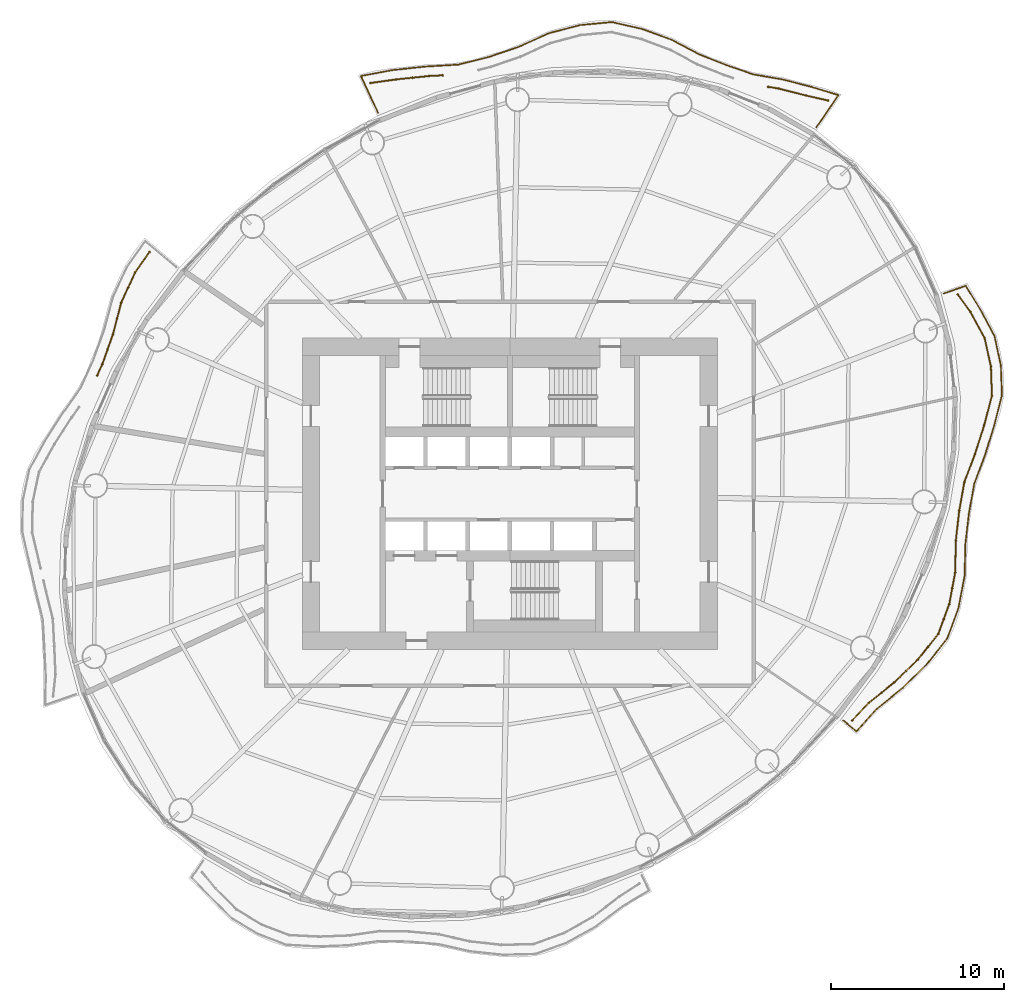
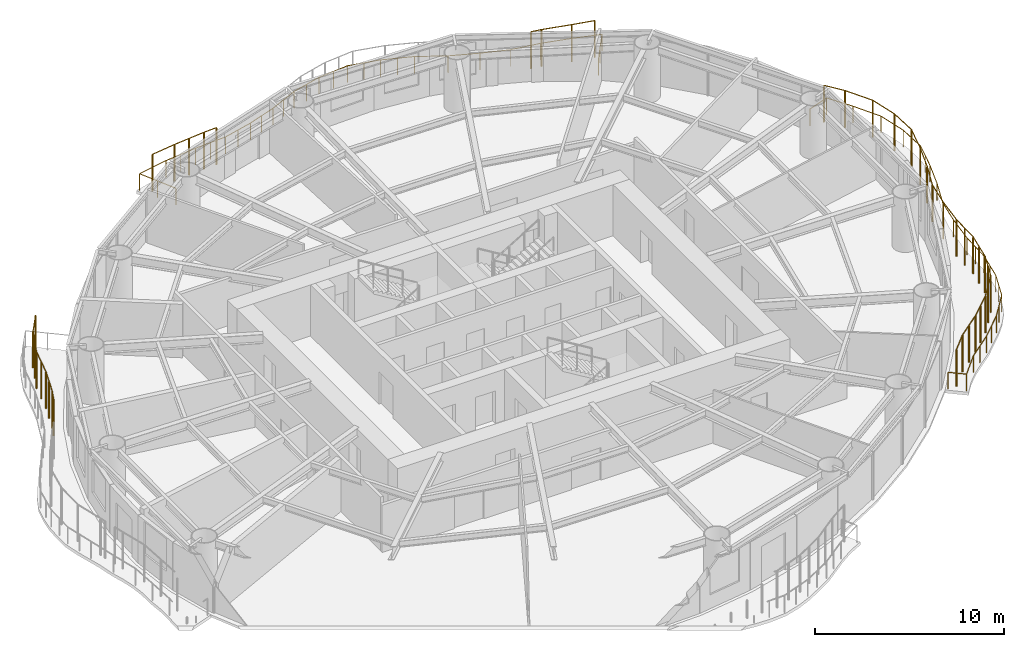
# One storey, part 14 of 15: 6 railings.
"""IFC4 building model written with IfcOpenShell, lengths in metres."""

import ifcopenshell
import ifcopenshell.guid

model = None  # the IFC model being written
_history = None  # IfcOwnerHistory: only IFC2X3 demands one
_inside = {}  # id of a spatial element -> (the spatial element, [elements in it])
_under = {}  # id of a project, library or spatial element -> (it, [spatial elements below it])
_declared = {}  # id of a project -> (the project, [libraries it declares])
_typed = {}  # id of a type object -> (the type object, [elements of that type])
_made_of = {}  # id of a material, layer set ... -> (it, [elements and type objects made of it])


def new_model(schema):
    """Start an empty IFC model of exactly this schema.

    Asked for "IFC4X3", IfcOpenShell would pick the latest addendum, in which some entities
    have other attributes; the version numbers below select the first issue.
    IFC2X3 requires an IfcOwnerHistory on every rooted entity: one is made here for all.
    """
    global model, _history
    if schema == "IFC4X3":
        model = ifcopenshell.file(schema_version=(4, 3, 0, 0))
    else:
        model = ifcopenshell.file(schema=schema)
    _inside.clear()
    _under.clear()
    _declared.clear()
    _typed.clear()
    _made_of.clear()
    _history = None
    if model.schema == "IFC2X3":
        org = make("IfcOrganization", Name="unknown")
        user = make(
            "IfcPersonAndOrganization",
            ThePerson=make("IfcPerson", FamilyName="unknown"),
            TheOrganization=org,
        )
        app = make(
            "IfcApplication",
            ApplicationDeveloper=org,
            Version="unknown",
            ApplicationFullName="unknown",
            ApplicationIdentifier="unknown",
        )
        _history = make(
            "IfcOwnerHistory",
            OwningUser=user,
            OwningApplication=app,
            ChangeAction="ADDED",
            CreationDate=0,
        )
    return model


def make(cls, **values):
    """One entity of the class cls with the attributes given. An attribute that is None is left unset."""
    return model.create_entity(
        cls, **{name: value for name, value in values.items() if value is not None}
    )


def rooted(cls, **values):
    """An entity with a GlobalId (a new one), such as an element, a storey or a relation."""
    return make(cls, GlobalId=ifcopenshell.guid.new(), OwnerHistory=_history, **values)


def si_unit(unit_type, name, prefix=None):
    """IfcSIUnit, for example si_unit("LENGTHUNIT", "METRE", prefix="MILLI")."""
    return make("IfcSIUnit", UnitType=unit_type, Prefix=prefix, Name=name)


def assignment(units):
    """IfcUnitAssignment: the units of a project."""
    return None if units is None else make("IfcUnitAssignment", Units=units)


def point(xyz):
    """IfcCartesianPoint."""
    return None if xyz is None else make("IfcCartesianPoint", Coordinates=xyz)


def direction(xyz):
    """IfcDirection."""
    return None if xyz is None else make("IfcDirection", DirectionRatios=xyz)


def frame(location, z_axis=None, x_axis=None):
    """IfcAxis2Placement3D, a coordinate frame: its origin and axes. An axis left out is left unset."""
    return make(
        "IfcAxis2Placement3D",
        Location=point(location),
        Axis=direction(z_axis),
        RefDirection=direction(x_axis),
    )


def frame_2d(location, x_axis=None):
    """IfcAxis2Placement2D, a coordinate frame in the plane: its origin and x axis."""
    return make(
        "IfcAxis2Placement2D", Location=point(location), RefDirection=direction(x_axis)
    )


def origin():
    """The frame at (0, 0, 0) with its axes left unset."""
    return frame((0.0, 0.0, 0.0))


def origin_2d():
    """The frame at (0, 0) in the plane with its x axis left unset."""
    return frame_2d((0.0, 0.0))


def place(relative_to, where):
    """IfcLocalPlacement: puts the frame where relative to a parent placement (None: the world)."""
    return make(
        "IfcLocalPlacement", PlacementRelTo=relative_to, RelativePlacement=where
    )


def context(
    kind, dimensions, precision=None, world=None, true_north=None, identifier=None
):
    """IfcGeometricRepresentationContext, for example the 3D "Model" context."""
    return make(
        "IfcGeometricRepresentationContext",
        ContextIdentifier=identifier,
        ContextType=kind,
        CoordinateSpaceDimension=dimensions,
        Precision=precision,
        WorldCoordinateSystem=world,
        TrueNorth=true_north,
    )


def subcontext(parent, identifier, kind, view, scale=None):
    """IfcGeometricRepresentationSubContext, for example "Body" below "Model"."""
    return make(
        "IfcGeometricRepresentationSubContext",
        ContextIdentifier=identifier,
        ContextType=kind,
        ParentContext=parent,
        TargetScale=scale,
        TargetView=view,
    )


def project(units=None, contexts=None):
    """IfcProject with its units and contexts."""
    return rooted(
        "IfcProject",
        Name="project",
        RepresentationContexts=contexts,
        UnitsInContext=assignment(units),
    )


def spatial(cls, under=None, at=None, **own):
    """A site, building, storey or space (cls), placed at a placement, below another one or the project."""
    s = rooted(cls, ObjectPlacement=at, **own)
    if under is not None:
        _under.setdefault(under.id(), (under, []))[1].append(s)
    return s


def profile(cls, at=None, kind="AREA", **sizes):
    """A parametric profile (cls). Its sizes go by their IFC names, for example OverallWidth=200.0."""
    return make(cls, ProfileType=kind, Position=at, **sizes)


def circle(**sizes):
    """IfcCircleProfileDef."""
    return profile("IfcCircleProfileDef", **sizes)


def extrude(swept, where, along, depth):
    """IfcExtrudedAreaSolid: the profile swept, set in the frame where, extruded along a direction by depth."""
    return make(
        "IfcExtrudedAreaSolid",
        SweptArea=swept,
        Position=where,
        ExtrudedDirection=direction(along),
        Depth=depth,
    )


def shape(context_of_items, identifier, shape_type, items):
    """IfcShapeRepresentation: the items that make up one representation, for example the "Body"."""
    return make(
        "IfcShapeRepresentation",
        ContextOfItems=context_of_items,
        RepresentationIdentifier=identifier,
        RepresentationType=shape_type,
        Items=items,
    )


def material(Name=None, Category=None):
    """IfcMaterial."""
    return make("IfcMaterial", Name=Name, Category=Category)


def made_of(thing, what):
    """Note that an element or type object is made of a material, layer set ...; save() writes the relation."""
    if what is not None:
        _made_of.setdefault(what.id(), (what, []))[1].append(thing)
    return thing


def type_object(cls, material=None, **own):
    """A type object (cls), such as IfcWallType, which elements share."""
    return made_of(rooted(cls, **own), material)


def element(
    cls,
    number,
    at=None,
    inside=None,
    cuts=None,
    type_object=None,
    material=None,
    context=None,
    identifier="Body",
    shape_type=None,
    held_by="IfcProductDefinitionShape",
    body=None,
    shapes=None,
    **own,
):
    """One element of the class cls, such as IfcWall. Its Tag is "e" and its number.

    at: its placement. inside: the storey or other place that contains it. cuts: it is an
    opening in that element (IfcRelVoidsElement). A single representation is given by context,
    identifier, shape_type and body (its items); several are given by shapes. held_by: the class
    of the entity that holds the representations. save() writes the other relations.
    """
    e = rooted(cls, Tag="e%d" % number, ObjectPlacement=at, **own)
    if body is not None:
        shapes = [shape(context, identifier, shape_type, body)]
    if shapes is not None:
        e.Representation = make(held_by, Representations=shapes)
    if inside is not None:
        _inside.setdefault(inside.id(), (inside, []))[1].append(e)
    if cuts is not None:
        rooted(
            "IfcRelVoidsElement", RelatingBuildingElement=cuts, RelatedOpeningElement=e
        )
    if type_object is not None:
        _typed.setdefault(type_object.id(), (type_object, []))[1].append(e)
    return made_of(e, material)


def aggregate(whole, parts):
    """IfcRelAggregates: a whole, such as a stair, and the parts it consists of."""
    return rooted("IfcRelAggregates", RelatingObject=whole, RelatedObjects=parts)


def save(model, path):
    """Write the relations noted so far, then the file.

    IfcRelAggregates (storeys below a building ...), IfcRelContainedInSpatialStructure (elements
    in a storey), IfcRelDefinesByType, IfcRelAssociatesMaterial and IfcRelDeclares: one each for
    every whole, place, type object, material and project.
    """
    for whole, parts in _under.values():
        aggregate(whole, parts)
    for where, things in _inside.values():
        rooted(
            "IfcRelContainedInSpatialStructure",
            RelatedElements=things,
            RelatingStructure=where,
        )
    for kind, things in _typed.values():
        rooted("IfcRelDefinesByType", RelatedObjects=things, RelatingType=kind)
    for what, things in _made_of.values():
        rooted("IfcRelAssociatesMaterial", RelatedObjects=things, RelatingMaterial=what)
    for by, libraries in _declared.values():
        rooted("IfcRelDeclares", RelatingContext=by, RelatedDefinitions=libraries)
    model.write(path)


model = new_model("IFC4")

# Units and contexts
model_context = context("Model", 3, precision=1e-05, world=origin(), true_north=direction((0.0, 1.0)))
body_context = subcontext(model_context, "Body", "Model", "MODEL_VIEW")
ifc_project = project(units=[si_unit("LENGTHUNIT", "METRE"), si_unit("AREAUNIT", "SQUARE_METRE"), si_unit("VOLUMEUNIT", "CUBIC_METRE"), si_unit("PLANEANGLEUNIT", "RADIAN"), si_unit("MASSUNIT", "GRAM", prefix="KILO")], contexts=[model_context])

# Site, building, storey
site_placement = place(None, origin())
site = spatial("IfcSite", under=ifc_project, at=site_placement, CompositionType="ELEMENT")
building_placement = place(site_placement, origin())
building = spatial("IfcBuilding", under=site, at=building_placement, Name="Vermilion Reach Broadcast Tower", CompositionType="ELEMENT")
storey_placement = place(building_placement, frame((0.0, 0.0, 183.0)))
storey = spatial("IfcBuildingStorey", under=building, at=storey_placement, Name="L44", CompositionType="ELEMENT", Elevation=183.0)

# Railings
ifc_material_1 = material(Name="Terracotta baguette", Category="masonry")
railing_type_1 = type_object("IfcRailingType", Name="BAGUETTE SCREEN", PredefinedType="USERDEFINED", material=ifc_material_1)
railing_1_placement = place(storey_placement, frame((12.39306640625, 22.750732421875, 0.0)))
element("IfcRailing", 1, at=railing_1_placement, inside=storey, type_object=railing_type_1, Name="Baguette screen L44 group 1 part 1", ObjectType="BAGUETTE SCREEN", PredefinedType="USERDEFINED", context=body_context, shape_type="SweptSolid", body=[
    extrude(circle(Radius=0.030029296875, at=origin_2d()), frame((0.0, 0.0, 2.369873046875), z_axis=(-0.97493325534, 0.222497522755, 0.0), x_axis=(-0.222497522755, -0.97493325534, 0.0)), (0.0, 0.0, 1.0), 1.276123046875),
    extrude(circle(Radius=0.030029296875, at=origin_2d()), frame((-1.244140625, 0.283935546875, 2.369873046875), z_axis=(-0.969501074945, 0.245087057349, 0.0), x_axis=(-0.245087057349, -0.969501074945, 0.0)), (0.0, 0.0, 1.0), 1.66552734375),
    extrude(circle(Radius=0.030029296875, at=origin_2d()), frame((-2.85888671875, 0.692138671875, 2.369873046875), z_axis=(-0.986525926221, 0.163605002653, 0.0), x_axis=(-0.163605002653, -0.986525926221, 0.0)), (0.0, 0.0, 1.0), 0.598388671875),
    extrude(circle(Radius=0.050048828125, at=origin_2d()), origin(), (0.0, 0.0, 1.0), 2.33984375),
    extrude(circle(Radius=0.050048828125, at=origin_2d()), frame((-1.244140625, 0.283935546875, 0.0)), (0.0, 0.0, 1.0), 2.33984375),
    extrude(circle(Radius=0.050048828125, at=origin_2d()), frame((-2.85888671875, 0.692138671875, 0.0)), (0.0, 0.0, 1.0), 2.33984375),
    extrude(circle(Radius=0.050048828125, at=origin_2d()), frame((-3.44921875, 0.7900390625, 0.0)), (0.0, 0.0, 1.0), 2.33984375),
])
railing_2_placement = place(storey_placement, frame((-9.89453125, 24.20751953125, 0.0)))
element("IfcRailing", 2, at=railing_2_placement, inside=storey, type_object=railing_type_1, Name="Baguette screen L44 group 1 part 3", ObjectType="BAGUETTE SCREEN", PredefinedType="USERDEFINED", context=body_context, shape_type="SweptSolid", body=[
    extrude(circle(Radius=0.030029296875, at=origin_2d()), frame((0.0, 0.0, 2.369873046875), z_axis=(-0.998484180172, -0.055039458079, 0.0), x_axis=(0.055039458079, -0.998484180172, 0.0)), (0.0, 0.0, 1.0), 0.78515625),
    extrude(circle(Radius=0.030029296875, at=origin_2d()), frame((-0.783935546875, -0.043212890625, 2.369873046875), z_axis=(-0.994777137262, -0.102070794943, 0.0), x_axis=(0.102070794943, -0.994777137262, 0.0)), (0.0, 0.0, 1.0), 1.920654296875),
    extrude(circle(Radius=0.030029296875, at=origin_2d()), frame((-2.694580078125, -0.2392578125, 2.369873046875), z_axis=(-0.990352564672, -0.138570551158, 0.0), x_axis=(0.138570551158, -0.990352564672, 0.0)), (0.0, 0.0, 1.0), 1.487060546875),
    extrude(circle(Radius=0.050048828125, at=origin_2d()), origin(), (0.0, 0.0, 1.0), 2.33984375),
    extrude(circle(Radius=0.050048828125, at=origin_2d()), frame((-0.783935546875, -0.043212890625, 0.0)), (0.0, 0.0, 1.0), 2.33984375),
    extrude(circle(Radius=0.050048828125, at=origin_2d()), frame((-1.7392578125, -0.14111328125, 0.0)), (0.0, 0.0, 1.0), 2.33984375),
    extrude(circle(Radius=0.050048828125, at=origin_2d()), frame((-2.694580078125, -0.2392578125, 0.0)), (0.0, 0.0, 1.0), 2.33984375),
    extrude(circle(Radius=0.050048828125, at=origin_2d()), frame((-4.167236328125, -0.4453125, 0.0)), (0.0, 0.0, 1.0), 2.33984375),
])
railing_3_placement = place(storey_placement, frame((-26.844482421875, 13.9873046875, 0.0)))
element("IfcRailing", 3, at=railing_3_placement, inside=storey, type_object=railing_type_1, Name="Baguette screen L44 group 2 part 1", ObjectType="BAGUETTE SCREEN", PredefinedType="USERDEFINED", context=body_context, shape_type="SweptSolid", body=[
    extrude(circle(Radius=0.030029296875, at=origin_2d()), frame((0.0, 0.0, 2.369873046875), z_axis=(-0.574085996, -0.818795010486, 0.0), x_axis=(0.818795010486, -0.574085996, 0.0)), (0.0, 0.0, 1.0), 1.444580078125),
    extrude(circle(Radius=0.030029296875, at=origin_2d()), frame((-0.829345703125, -1.182861328125, 2.369873046875), z_axis=(-0.418629558212, -0.908157086076, 0.0), x_axis=(0.908157086076, -0.418629558212, 0.0)), (0.0, 0.0, 1.0), 1.91455078125),
    extrude(circle(Radius=0.030029296875, at=origin_2d()), frame((-1.630859375, -2.921630859375, 2.369873046875), z_axis=(-0.253464446601, -0.967344702942, 0.0), x_axis=(0.967344702942, -0.253464446601, 0.0)), (0.0, 0.0, 1.0), 1.915771484375),
    extrude(circle(Radius=0.030029296875, at=origin_2d()), frame((-2.116455078125, -4.77490234375, 2.369873046875), z_axis=(-0.335397001354, -0.942076881938, 0.0), x_axis=(0.942076881938, -0.335397001354, 0.0)), (0.0, 0.0, 1.0), 1.827880859375),
    extrude(circle(Radius=0.030029296875, at=origin_2d()), frame((-2.7294921875, -6.496826171875, 2.369873046875), z_axis=(-0.412712513485, -0.910861340278, 0.0), x_axis=(0.910861340278, -0.412712513485, 0.0)), (0.0, 0.0, 1.0), 0.708740234375),
    extrude(circle(Radius=0.050048828125, at=origin_2d()), origin(), (0.0, 0.0, 1.0), 2.33984375),
    extrude(circle(Radius=0.050048828125, at=origin_2d()), frame((-0.829345703125, -1.182861328125, 0.0)), (0.0, 0.0, 1.0), 2.33984375),
    extrude(circle(Radius=0.050048828125, at=origin_2d()), frame((-1.22998046875, -2.05224609375, 0.0)), (0.0, 0.0, 1.0), 2.33984375),
    extrude(circle(Radius=0.050048828125, at=origin_2d()), frame((-1.630859375, -2.921630859375, 0.0)), (0.0, 0.0, 1.0), 2.33984375),
    extrude(circle(Radius=0.050048828125, at=origin_2d()), frame((-1.87353515625, -3.84814453125, 0.0)), (0.0, 0.0, 1.0), 2.33984375),
    extrude(circle(Radius=0.050048828125, at=origin_2d()), frame((-2.116455078125, -4.77490234375, 0.0)), (0.0, 0.0, 1.0), 2.33984375),
    extrude(circle(Radius=0.050048828125, at=origin_2d()), frame((-2.4228515625, -5.6357421875, 0.0)), (0.0, 0.0, 1.0), 2.33984375),
    extrude(circle(Radius=0.050048828125, at=origin_2d()), frame((-2.7294921875, -6.496826171875, 0.0)), (0.0, 0.0, 1.0), 2.33984375),
    extrude(circle(Radius=0.050048828125, at=origin_2d()), frame((-3.02197265625, -7.142333984375, 0.0)), (0.0, 0.0, 1.0), 2.33984375),
])
railing_4_placement = place(storey_placement, frame((13.79931640625, -13.10546875, 0.0)))
element("IfcRailing", 4, at=railing_4_placement, inside=storey, type_object=railing_type_1, Name="Baguette screen L44 group 4", ObjectType="BAGUETTE SCREEN", PredefinedType="USERDEFINED", context=body_context, shape_type="SweptSolid", body=[
    extrude(circle(Radius=0.030029296875, at=origin_2d()), frame((0.0, 0.0, 2.369873046875), z_axis=(0.685419999857, 0.728147940872, 0.0), x_axis=(-0.728147940872, 0.685419999857, 0.0)), (0.0, 0.0, 1.0), 1.376953125),
    extrude(circle(Radius=0.030029296875, at=origin_2d()), frame((0.94384765625, 1.002685546875, 2.369873046875), z_axis=(0.77897214184, 0.627058531747, 0.0), x_axis=(-0.627058531747, 0.77897214184, 0.0)), (0.0, 0.0, 1.0), 1.912353515625),
    extrude(circle(Radius=0.030029296875, at=origin_2d()), frame((2.43359375, 2.201904296875, 2.369873046875), z_axis=(0.719241588077, 0.694760057848, 0.0), x_axis=(-0.694760057848, 0.719241588077, 0.0)), (0.0, 0.0, 1.0), 1.894775390625),
    extrude(circle(Radius=0.030029296875, at=origin_2d()), frame((3.79638671875, 3.518310546875, 2.369873046875), z_axis=(0.624742241176, 0.780831052207, 0.0), x_axis=(-0.780831052207, 0.624742241176, 0.0)), (0.0, 0.0, 1.0), 1.892578125),
    extrude(circle(Radius=0.030029296875, at=origin_2d()), frame((4.978759765625, 4.99609375, 2.369873046875), z_axis=(0.345220152328, 0.938521734659, 0.0), x_axis=(-0.938521734659, 0.345220152328, 0.0)), (0.0, 0.0, 1.0), 1.84228515625),
    extrude(circle(Radius=0.030029296875, at=origin_2d()), frame((5.61474609375, 6.72509765625, 2.369873046875), z_axis=(0.184034913122, 0.982919707175, 0.0), x_axis=(-0.982919707175, 0.184034913122, 0.0)), (0.0, 0.0, 1.0), 1.85986328125),
    extrude(circle(Radius=0.030029296875, at=origin_2d()), frame((5.95703125, 8.55322265625, 2.369873046875), z_axis=(0.019781017945, 0.999804336522, 0.0), x_axis=(-0.999804336522, 0.019781017945, 0.0)), (0.0, 0.0, 1.0), 1.8388671875),
    extrude(circle(Radius=0.030029296875, at=origin_2d()), frame((5.993408203125, 10.391845703125, 2.369873046875), z_axis=(0.11294097338, 0.993601699139, 0.0), x_axis=(-0.993601699139, 0.11294097338, 0.0)), (0.0, 0.0, 1.0), 1.7509765625),
    extrude(circle(Radius=0.030029296875, at=origin_2d()), frame((6.191162109375, 12.131591796875, 2.369873046875), z_axis=(0.176877067639, 0.984232951563, 0.0), x_axis=(-0.984232951563, 0.176877067639, 0.0)), (0.0, 0.0, 1.0), 1.6796875),
    extrude(circle(Radius=0.030029296875, at=origin_2d()), frame((6.48828125, 13.784912109375, 2.369873046875), z_axis=(0.354658464971, 0.934995921502, 0.0), x_axis=(-0.934995921502, 0.354658464971, 0.0)), (0.0, 0.0, 1.0), 1.739501953125),
    extrude(circle(Radius=0.030029296875, at=origin_2d()), frame((7.105224609375, 15.411376953125, 2.369873046875), z_axis=(0.303710409179, 0.952764392364, 0.0), x_axis=(-0.952764392364, 0.303710409179, 0.0)), (0.0, 0.0, 1.0), 1.72998046875),
    extrude(circle(Radius=0.030029296875, at=origin_2d()), frame((7.630615234375, 17.0595703125, 2.369873046875), z_axis=(0.254107275406, 0.967176040122, 0.0), x_axis=(-0.967176040122, 0.254107275406, 0.0)), (0.0, 0.0, 1.0), 1.774658203125),
    extrude(circle(Radius=0.030029296875, at=origin_2d()), frame((8.08154296875, 18.77587890625, 2.369873046875), z_axis=(-0.034849136227, 0.999392584375, 0.0), x_axis=(-0.999392584375, -0.034849136227, 0.0)), (0.0, 0.0, 1.0), 1.6953125),
    extrude(circle(Radius=0.030029296875, at=origin_2d()), frame((8.0224609375, 20.47021484375, 2.369873046875), z_axis=(-0.214697622541, 0.976680567471, 0.0), x_axis=(-0.976680567471, -0.214697622541, 0.0)), (0.0, 0.0, 1.0), 1.702392578125),
    extrude(circle(Radius=0.030029296875, at=origin_2d()), frame((7.656982421875, 22.1328125, 2.369873046875), z_axis=(-0.478651902582, 0.878004758617, 0.0), x_axis=(-0.878004758617, -0.478651902582, 0.0)), (0.0, 0.0, 1.0), 1.708740234375),
    extrude(circle(Radius=0.030029296875, at=origin_2d()), frame((6.839111328125, 23.633056640625, 2.369873046875), z_axis=(-0.592280926136, 0.805731533785, 0.0), x_axis=(-0.805731533785, -0.592280926136, 0.0)), (0.0, 0.0, 1.0), 1.234130859375),
    extrude(circle(Radius=0.050048828125, at=origin_2d()), origin(), (0.0, 0.0, 1.0), 2.33984375),
    extrude(circle(Radius=0.050048828125, at=origin_2d()), frame((0.94384765625, 1.002685546875, 0.0)), (0.0, 0.0, 1.0), 2.33984375),
    extrude(circle(Radius=0.050048828125, at=origin_2d()), frame((1.688720703125, 1.602294921875, 0.0)), (0.0, 0.0, 1.0), 2.33984375),
    extrude(circle(Radius=0.050048828125, at=origin_2d()), frame((2.43359375, 2.201904296875, 0.0)), (0.0, 0.0, 1.0), 2.33984375),
    extrude(circle(Radius=0.050048828125, at=origin_2d()), frame((3.114990234375, 2.860107421875, 0.0)), (0.0, 0.0, 1.0), 2.33984375),
    extrude(circle(Radius=0.050048828125, at=origin_2d()), frame((3.79638671875, 3.518310546875, 0.0)), (0.0, 0.0, 1.0), 2.33984375),
    extrude(circle(Radius=0.050048828125, at=origin_2d()), frame((4.3876953125, 4.25732421875, 0.0)), (0.0, 0.0, 1.0), 2.33984375),
    extrude(circle(Radius=0.050048828125, at=origin_2d()), frame((4.978759765625, 4.99609375, 0.0)), (0.0, 0.0, 1.0), 2.33984375),
    extrude(circle(Radius=0.050048828125, at=origin_2d()), frame((5.296875, 5.860595703125, 0.0)), (0.0, 0.0, 1.0), 2.33984375),
    extrude(circle(Radius=0.050048828125, at=origin_2d()), frame((5.61474609375, 6.72509765625, 0.0)), (0.0, 0.0, 1.0), 2.33984375),
    extrude(circle(Radius=0.050048828125, at=origin_2d()), frame((5.785888671875, 7.63916015625, 0.0)), (0.0, 0.0, 1.0), 2.33984375),
    extrude(circle(Radius=0.050048828125, at=origin_2d()), frame((5.95703125, 8.55322265625, 0.0)), (0.0, 0.0, 1.0), 2.33984375),
    extrude(circle(Radius=0.050048828125, at=origin_2d()), frame((5.97509765625, 9.47265625, 0.0)), (0.0, 0.0, 1.0), 2.33984375),
    extrude(circle(Radius=0.050048828125, at=origin_2d()), frame((5.993408203125, 10.391845703125, 0.0)), (0.0, 0.0, 1.0), 2.33984375),
    extrude(circle(Radius=0.050048828125, at=origin_2d()), frame((6.191162109375, 12.131591796875, 0.0)), (0.0, 0.0, 1.0), 2.33984375),
    extrude(circle(Radius=0.050048828125, at=origin_2d()), frame((6.48828125, 13.784912109375, 0.0)), (0.0, 0.0, 1.0), 2.33984375),
    extrude(circle(Radius=0.050048828125, at=origin_2d()), frame((7.105224609375, 15.411376953125, 0.0)), (0.0, 0.0, 1.0), 2.33984375),
    extrude(circle(Radius=0.050048828125, at=origin_2d()), frame((7.630615234375, 17.0595703125, 0.0)), (0.0, 0.0, 1.0), 2.33984375),
    extrude(circle(Radius=0.050048828125, at=origin_2d()), frame((8.08154296875, 18.77587890625, 0.0)), (0.0, 0.0, 1.0), 2.33984375),
    extrude(circle(Radius=0.050048828125, at=origin_2d()), frame((8.0224609375, 20.47021484375, 0.0)), (0.0, 0.0, 1.0), 2.33984375),
    extrude(circle(Radius=0.050048828125, at=origin_2d()), frame((7.656982421875, 22.1328125, 0.0)), (0.0, 0.0, 1.0), 2.33984375),
    extrude(circle(Radius=0.050048828125, at=origin_2d()), frame((6.839111328125, 23.633056640625, 0.0)), (0.0, 0.0, 1.0), 2.33984375),
    extrude(circle(Radius=0.050048828125, at=origin_2d()), frame((6.108154296875, 24.62744140625, 0.0)), (0.0, 0.0, 1.0), 2.33984375),
])
ifc_material_2 = material(Name="Stainless steel 316 balustrade", Category="steel")
railing_type_2 = type_object("IfcRailingType", Name="Balcony guard 1100", PredefinedType="BALUSTRADE", material=ifc_material_2)
railing_5_placement = place(storey_placement, frame((11.730224609375, 21.204833984375, 0.0)))
element("IfcRailing", 5, at=railing_5_placement, inside=storey, type_object=railing_type_2, Name="Balcony guard L44 group 1", PredefinedType="BALUSTRADE", context=body_context, shape_type="SweptSolid", body=[
    extrude(circle(Radius=0.02490234375, at=origin_2d()), frame((0.0, 0.0, 1.0751953125), z_axis=(0.566239308634, 0.82424089037, 0.0), x_axis=(-0.82424089037, 0.566239308634, 0.0)), (0.0, 0.0, 1.0), 2.2548828125),
    extrude(circle(Radius=0.02490234375, at=origin_2d()), frame((1.27685546875, 1.858642578125, 1.0751953125), z_axis=(-0.957303580735, 0.289084510675, 0.0), x_axis=(-0.289084510675, -0.957303580735, 0.0)), (0.0, 0.0, 1.0), 1.637451171875),
    extrude(circle(Radius=0.02490234375, at=origin_2d()), frame((-0.290771484375, 2.33203125, 1.0751953125), z_axis=(-0.968038054318, 0.250803360011, 0.0), x_axis=(-0.250803360011, -0.968038054318, 0.0)), (0.0, 0.0, 1.0), 1.70751953125),
    extrude(circle(Radius=0.02490234375, at=origin_2d()), frame((-1.943603515625, 2.76025390625, 1.0751953125), z_axis=(-0.985497931023, 0.169687441933, 0.0), x_axis=(-0.169687441933, -0.985497931023, 0.0)), (0.0, 0.0, 1.0), 1.713623046875),
    extrude(circle(Radius=0.02490234375, at=origin_2d()), frame((-3.63232421875, 3.051025390625, 1.0751953125), z_axis=(-0.945914692423, 0.32441546612, 0.0), x_axis=(-0.32441546612, -0.945914692423, 0.0)), (0.0, 0.0, 1.0), 1.6435546875),
    extrude(circle(Radius=0.02490234375, at=origin_2d()), frame((-5.18701171875, 3.584228515625, 1.0751953125), z_axis=(-0.930221096411, 0.366999607346, 0.0), x_axis=(-0.366999607346, -0.930221096411, 0.0)), (0.0, 0.0, 1.0), 1.6982421875),
    extrude(circle(Radius=0.02490234375, at=origin_2d()), frame((-6.766845703125, 4.20751953125, 1.0751953125), z_axis=(-0.882735758802, 0.469869748049, 0.0), x_axis=(-0.469869748049, -0.882735758802, 0.0)), (0.0, 0.0, 1.0), 1.78173828125),
    extrude(circle(Radius=0.02490234375, at=origin_2d()), frame((-8.339599609375, 5.044677734375, 1.0751953125), z_axis=(-0.938683015255, 0.344781375472, 0.0), x_axis=(-0.344781375472, -0.938683015255, 0.0)), (0.0, 0.0, 1.0), 1.82470703125),
    extrude(circle(Radius=0.02490234375, at=origin_2d()), frame((-10.052490234375, 5.673828125, 1.0751953125), z_axis=(-0.974614673671, 0.223888896252, 0.0), x_axis=(-0.223888896252, -0.974614673671, 0.0)), (0.0, 0.0, 1.0), 1.81884765625),
    extrude(circle(Radius=0.02490234375, at=origin_2d()), frame((-11.8251953125, 6.0810546875, 1.0751953125), z_axis=(-0.995616200738, -0.093532779425, 0.0), x_axis=(0.093532779425, -0.995616200738, 0.0)), (0.0, 0.0, 1.0), 1.8505859375),
    extrude(circle(Radius=0.02490234375, at=origin_2d()), frame((-13.667724609375, 5.907958984375, 1.0751953125), z_axis=(-0.967418329998, -0.253183282987, 0.0), x_axis=(0.253183282987, -0.967418329998, 0.0)), (0.0, 0.0, 1.0), 1.853271484375),
    extrude(circle(Radius=0.02490234375, at=origin_2d()), frame((-15.460693359375, 5.438720703125, 1.0751953125), z_axis=(-0.912376405842, -0.409352286012, 0.0), x_axis=(0.409352286012, -0.912376405842, 0.0)), (0.0, 0.0, 1.0), 1.915771484375),
    extrude(circle(Radius=0.02490234375, at=origin_2d()), frame((-17.20849609375, 4.654541015625, 1.0751953125), z_axis=(-0.946064551899, -0.323978183896, 0.0), x_axis=(0.323978183896, -0.946064551899, 0.0)), (0.0, 0.0, 1.0), 1.8212890625),
    extrude(circle(Radius=0.02490234375, at=origin_2d()), frame((-18.931640625, 4.064453125, 1.0751953125), z_axis=(-0.97009536009, -0.242724107438, 0.0), x_axis=(0.242724107438, -0.97009536009, 0.0)), (0.0, 0.0, 1.0), 1.82861328125),
    extrude(circle(Radius=0.02490234375, at=origin_2d()), frame((-20.70556640625, 3.62060546875, 1.0751953125), z_axis=(-0.998259658011, -0.058971647326, 0.0), x_axis=(0.058971647326, -0.998259658011, 0.0)), (0.0, 0.0, 1.0), 1.891845703125),
    extrude(circle(Radius=0.02490234375, at=origin_2d()), frame((-22.59423828125, 3.509033203125, 1.0751953125), z_axis=(-0.994335613836, -0.106285874215, 0.0), x_axis=(0.106285874215, -0.994335613836, 0.0)), (0.0, 0.0, 1.0), 1.952392578125),
    extrude(circle(Radius=0.02490234375, at=origin_2d()), frame((-24.53564453125, 3.301513671875, 1.0751953125), z_axis=(-0.982597743201, -0.185746265255, 0.0), x_axis=(0.185746265255, -0.982597743201, 0.0)), (0.0, 0.0, 1.0), 1.840087890625),
    extrude(circle(Radius=0.02490234375, at=origin_2d()), frame((-26.34375, 2.959716796875, 1.0751953125), z_axis=(0.423256210934, -0.906010033005, 0.0), x_axis=(0.906010033005, 0.423256210934, 0.0)), (0.0, 0.0, 1.0), 2.343017578125),
    extrude(circle(Radius=0.02490234375, at=origin_2d()), origin(), (0.0, 0.0, 1.0), 1.050048828125),
    extrude(circle(Radius=0.02490234375, at=origin_2d()), frame((0.638427734375, 0.92919921875, 0.0)), (0.0, 0.0, 1.0), 1.050048828125),
    extrude(circle(Radius=0.02490234375, at=origin_2d()), frame((1.27685546875, 1.858642578125, 0.0)), (0.0, 0.0, 1.0), 1.050048828125),
    extrude(circle(Radius=0.02490234375, at=origin_2d()), frame((-0.290771484375, 2.33203125, 0.0)), (0.0, 0.0, 1.0), 1.050048828125),
    extrude(circle(Radius=0.02490234375, at=origin_2d()), frame((-1.943603515625, 2.76025390625, 0.0)), (0.0, 0.0, 1.0), 1.050048828125),
    extrude(circle(Radius=0.02490234375, at=origin_2d()), frame((-3.63232421875, 3.051025390625, 0.0)), (0.0, 0.0, 1.0), 1.050048828125),
    extrude(circle(Radius=0.02490234375, at=origin_2d()), frame((-5.18701171875, 3.584228515625, 0.0)), (0.0, 0.0, 1.0), 1.050048828125),
    extrude(circle(Radius=0.02490234375, at=origin_2d()), frame((-6.766845703125, 4.20751953125, 0.0)), (0.0, 0.0, 1.0), 1.050048828125),
    extrude(circle(Radius=0.02490234375, at=origin_2d()), frame((-8.339599609375, 5.044677734375, 0.0)), (0.0, 0.0, 1.0), 1.050048828125),
    extrude(circle(Radius=0.02490234375, at=origin_2d()), frame((-9.196044921875, 5.359375, 0.0)), (0.0, 0.0, 1.0), 1.050048828125),
    extrude(circle(Radius=0.02490234375, at=origin_2d()), frame((-10.052490234375, 5.673828125, 0.0)), (0.0, 0.0, 1.0), 1.050048828125),
    extrude(circle(Radius=0.02490234375, at=origin_2d()), frame((-10.93896484375, 5.87744140625, 0.0)), (0.0, 0.0, 1.0), 1.050048828125),
    extrude(circle(Radius=0.02490234375, at=origin_2d()), frame((-11.8251953125, 6.0810546875, 0.0)), (0.0, 0.0, 1.0), 1.050048828125),
    extrude(circle(Radius=0.02490234375, at=origin_2d()), frame((-12.74658203125, 5.99462890625, 0.0)), (0.0, 0.0, 1.0), 1.050048828125),
    extrude(circle(Radius=0.02490234375, at=origin_2d()), frame((-13.667724609375, 5.907958984375, 0.0)), (0.0, 0.0, 1.0), 1.050048828125),
    extrude(circle(Radius=0.02490234375, at=origin_2d()), frame((-14.564208984375, 5.67333984375, 0.0)), (0.0, 0.0, 1.0), 1.050048828125),
    extrude(circle(Radius=0.02490234375, at=origin_2d()), frame((-15.460693359375, 5.438720703125, 0.0)), (0.0, 0.0, 1.0), 1.050048828125),
    extrude(circle(Radius=0.02490234375, at=origin_2d()), frame((-16.33447265625, 5.046630859375, 0.0)), (0.0, 0.0, 1.0), 1.050048828125),
    extrude(circle(Radius=0.02490234375, at=origin_2d()), frame((-17.20849609375, 4.654541015625, 0.0)), (0.0, 0.0, 1.0), 1.050048828125),
    extrude(circle(Radius=0.02490234375, at=origin_2d()), frame((-18.070068359375, 4.359375, 0.0)), (0.0, 0.0, 1.0), 1.050048828125),
    extrude(circle(Radius=0.02490234375, at=origin_2d()), frame((-18.931640625, 4.064453125, 0.0)), (0.0, 0.0, 1.0), 1.050048828125),
    extrude(circle(Radius=0.02490234375, at=origin_2d()), frame((-19.818603515625, 3.842529296875, 0.0)), (0.0, 0.0, 1.0), 1.050048828125),
    extrude(circle(Radius=0.02490234375, at=origin_2d()), frame((-20.70556640625, 3.62060546875, 0.0)), (0.0, 0.0, 1.0), 1.050048828125),
    extrude(circle(Radius=0.02490234375, at=origin_2d()), frame((-21.64990234375, 3.56494140625, 0.0)), (0.0, 0.0, 1.0), 1.050048828125),
    extrude(circle(Radius=0.02490234375, at=origin_2d()), frame((-22.59423828125, 3.509033203125, 0.0)), (0.0, 0.0, 1.0), 1.050048828125),
    extrude(circle(Radius=0.02490234375, at=origin_2d()), frame((-23.56494140625, 3.4052734375, 0.0)), (0.0, 0.0, 1.0), 1.050048828125),
    extrude(circle(Radius=0.02490234375, at=origin_2d()), frame((-24.53564453125, 3.301513671875, 0.0)), (0.0, 0.0, 1.0), 1.050048828125),
    extrude(circle(Radius=0.02490234375, at=origin_2d()), frame((-25.439697265625, 3.130615234375, 0.0)), (0.0, 0.0, 1.0), 1.050048828125),
    extrude(circle(Radius=0.02490234375, at=origin_2d()), frame((-26.34375, 2.959716796875, 0.0)), (0.0, 0.0, 1.0), 1.050048828125),
    extrude(circle(Radius=0.02490234375, at=origin_2d()), frame((-25.847900390625, 1.8984375, 0.0)), (0.0, 0.0, 1.0), 1.050048828125),
    extrude(circle(Radius=0.02490234375, at=origin_2d()), frame((-25.35205078125, 0.8369140625, 0.0)), (0.0, 0.0, 1.0), 1.050048828125),
])
railing_6_placement = place(storey_placement, frame((13.290771484375, -13.107421875, 0.0)))
element("IfcRailing", 6, at=railing_6_placement, inside=storey, type_object=railing_type_2, Name="Balcony guard L44 group 4", PredefinedType="BALUSTRADE", context=body_context, shape_type="SweptSolid", body=[
    extrude(circle(Radius=0.02490234375, at=origin_2d()), frame((0.0, 0.0, 1.0751953125), z_axis=(0.764287667713, -0.644875461607, 0.0), x_axis=(0.644875461607, 0.764287667713, 0.0)), (0.0, 0.0, 1.0), 0.9853515625),
    extrude(circle(Radius=0.02490234375, at=origin_2d()), frame((0.753173828125, -0.635498046875, 1.0751953125), z_axis=(0.669104481984, 0.743168347139, 0.0), x_axis=(-0.743168347139, 0.669104481984, 0.0)), (0.0, 0.0, 1.0), 1.737060546875),
    extrude(circle(Radius=0.02490234375, at=origin_2d()), frame((1.91552734375, 0.655517578125, 1.0751953125), z_axis=(0.776129365858, 0.630573712941, 0.0), x_axis=(-0.630573712941, 0.776129365858, 0.0)), (0.0, 0.0, 1.0), 1.944091796875),
    extrude(circle(Radius=0.02490234375, at=origin_2d()), frame((3.42431640625, 1.88134765625, 1.0751953125), z_axis=(0.71636115054, 0.697729676879, 0.0), x_axis=(-0.697729676879, 0.71636115054, 0.0)), (0.0, 0.0, 1.0), 1.92626953125),
    extrude(circle(Radius=0.02490234375, at=origin_2d()), frame((4.80419921875, 3.225341796875, 1.0751953125), z_axis=(0.622451228338, 0.782658589898, 0.0), x_axis=(-0.782658589898, 0.622451228338, 0.0)), (0.0, 0.0, 1.0), 1.92626953125),
    extrude(circle(Radius=0.02490234375, at=origin_2d()), frame((6.003173828125, 4.73291015625, 1.0751953125), z_axis=(0.346826867299, 0.937929167965, 0.0), x_axis=(-0.937929167965, 0.346826867299, 0.0)), (0.0, 0.0, 1.0), 1.8759765625),
    extrude(circle(Radius=0.02490234375, at=origin_2d()), frame((6.65380859375, 6.492431640625, 1.0751953125), z_axis=(0.187609449473, 0.982243704214, 0.0), x_axis=(-0.982243704214, 0.187609449473, 0.0)), (0.0, 0.0, 1.0), 1.894775390625),
    extrude(circle(Radius=0.02490234375, at=origin_2d()), frame((7.00927734375, 8.353515625, 1.0751953125), z_axis=(0.025549096289, 0.999673568561, 0.0), x_axis=(-0.999673568561, 0.025549096289, 0.0)), (0.0, 0.0, 1.0), 1.873046875),
    extrude(circle(Radius=0.02490234375, at=origin_2d()), frame((7.05712890625, 10.225830078125, 1.0751953125), z_axis=(0.115945820571, 0.993255539472, 0.0), x_axis=(-0.993255539472, 0.115945820571, 0.0)), (0.0, 0.0, 1.0), 1.78759765625),
    extrude(circle(Radius=0.02490234375, at=origin_2d()), frame((7.264404296875, 12.00146484375, 1.0751953125), z_axis=(0.177345851565, 0.984148590881, 0.0), x_axis=(-0.984148590881, 0.177345851565, 0.0)), (0.0, 0.0, 1.0), 1.716552734375),
    extrude(circle(Radius=0.02490234375, at=origin_2d()), frame((7.56884765625, 13.69091796875, 1.0751953125), z_axis=(0.350009645072, 0.936746095992, 0.0), x_axis=(-0.936746095992, 0.350009645072, 0.0)), (0.0, 0.0, 1.0), 1.778076171875),
    extrude(circle(Radius=0.02490234375, at=origin_2d()), frame((8.191162109375, 15.3564453125, 1.0751953125), z_axis=(0.298400790026, 0.954440657407, 0.0), x_axis=(-0.954440657407, 0.298400790026, 0.0)), (0.0, 0.0, 1.0), 1.76806640625),
    extrude(circle(Radius=0.02490234375, at=origin_2d()), frame((8.71875, 17.0439453125, 1.0751953125), z_axis=(0.248546939141, 0.9686198527, 0.0), x_axis=(-0.9686198527, 0.248546939141, 0.0)), (0.0, 0.0, 1.0), 1.814208984375),
    extrude(circle(Radius=0.02490234375, at=origin_2d()), frame((9.169677734375, 18.80126953125, 1.0751953125), z_axis=(-0.03584696992, 0.999357290836, 0.0), x_axis=(-0.999357290836, -0.03584696992, 0.0)), (0.0, 0.0, 1.0), 1.73681640625),
    extrude(circle(Radius=0.02490234375, at=origin_2d()), frame((9.107421875, 20.536865234375, 1.0751953125), z_axis=(-0.213033551713, 0.977044884253, 0.0), x_axis=(-0.977044884253, -0.213033551713, 0.0)), (0.0, 0.0, 1.0), 1.745361328125),
    extrude(circle(Radius=0.02490234375, at=origin_2d()), frame((8.735595703125, 22.2421875, 1.0751953125), z_axis=(-0.472751660385, 0.88119570335, 0.0), x_axis=(-0.88119570335, -0.472751660385, 0.0)), (0.0, 0.0, 1.0), 1.750244140625),
    extrude(circle(Radius=0.02490234375, at=origin_2d()), frame((7.908203125, 23.784423828125, 1.0751953125), z_axis=(-0.521704684227, 0.85312614686, 0.0), x_axis=(-0.85312614686, -0.521704684227, 0.0)), (0.0, 0.0, 1.0), 1.589599609375),
    extrude(circle(Radius=0.02490234375, at=origin_2d()), frame((7.078857421875, 25.140625, 1.0751953125), z_axis=(-0.943423456281, -0.331590383062, 0.0), x_axis=(0.331590383062, -0.943423456281, 0.0)), (0.0, 0.0, 1.0), 1.350341796875),
    extrude(circle(Radius=0.02490234375, at=origin_2d()), origin(), (0.0, 0.0, 1.0), 1.050048828125),
    extrude(circle(Radius=0.02490234375, at=origin_2d()), frame((0.753173828125, -0.635498046875, 0.0)), (0.0, 0.0, 1.0), 1.050048828125),
    extrude(circle(Radius=0.02490234375, at=origin_2d()), frame((1.91552734375, 0.655517578125, 0.0)), (0.0, 0.0, 1.0), 1.050048828125),
    extrude(circle(Radius=0.02490234375, at=origin_2d()), frame((2.669921875, 1.2685546875, 0.0)), (0.0, 0.0, 1.0), 1.050048828125),
    extrude(circle(Radius=0.02490234375, at=origin_2d()), frame((3.42431640625, 1.88134765625, 0.0)), (0.0, 0.0, 1.0), 1.050048828125),
    extrude(circle(Radius=0.02490234375, at=origin_2d()), frame((4.1142578125, 2.55322265625, 0.0)), (0.0, 0.0, 1.0), 1.050048828125),
    extrude(circle(Radius=0.02490234375, at=origin_2d()), frame((4.80419921875, 3.225341796875, 0.0)), (0.0, 0.0, 1.0), 1.050048828125),
    extrude(circle(Radius=0.02490234375, at=origin_2d()), frame((5.40380859375, 3.97900390625, 0.0)), (0.0, 0.0, 1.0), 1.050048828125),
    extrude(circle(Radius=0.02490234375, at=origin_2d()), frame((6.003173828125, 4.73291015625, 0.0)), (0.0, 0.0, 1.0), 1.050048828125),
    extrude(circle(Radius=0.02490234375, at=origin_2d()), frame((6.32861328125, 5.61279296875, 0.0)), (0.0, 0.0, 1.0), 1.050048828125),
    extrude(circle(Radius=0.02490234375, at=origin_2d()), frame((6.65380859375, 6.492431640625, 0.0)), (0.0, 0.0, 1.0), 1.050048828125),
    extrude(circle(Radius=0.02490234375, at=origin_2d()), frame((6.83154296875, 7.4228515625, 0.0)), (0.0, 0.0, 1.0), 1.050048828125),
    extrude(circle(Radius=0.02490234375, at=origin_2d()), frame((7.00927734375, 8.353515625, 0.0)), (0.0, 0.0, 1.0), 1.050048828125),
    extrude(circle(Radius=0.02490234375, at=origin_2d()), frame((7.033203125, 9.28955078125, 0.0)), (0.0, 0.0, 1.0), 1.050048828125),
    extrude(circle(Radius=0.02490234375, at=origin_2d()), frame((7.05712890625, 10.225830078125, 0.0)), (0.0, 0.0, 1.0), 1.050048828125),
    extrude(circle(Radius=0.02490234375, at=origin_2d()), frame((7.264404296875, 12.00146484375, 0.0)), (0.0, 0.0, 1.0), 1.050048828125),
    extrude(circle(Radius=0.02490234375, at=origin_2d()), frame((7.56884765625, 13.69091796875, 0.0)), (0.0, 0.0, 1.0), 1.050048828125),
    extrude(circle(Radius=0.02490234375, at=origin_2d()), frame((8.191162109375, 15.3564453125, 0.0)), (0.0, 0.0, 1.0), 1.050048828125),
    extrude(circle(Radius=0.02490234375, at=origin_2d()), frame((8.71875, 17.0439453125, 0.0)), (0.0, 0.0, 1.0), 1.050048828125),
    extrude(circle(Radius=0.02490234375, at=origin_2d()), frame((8.9443359375, 17.922607421875, 0.0)), (0.0, 0.0, 1.0), 1.050048828125),
    extrude(circle(Radius=0.02490234375, at=origin_2d()), frame((9.169677734375, 18.80126953125, 0.0)), (0.0, 0.0, 1.0), 1.050048828125),
    extrude(circle(Radius=0.02490234375, at=origin_2d()), frame((9.107421875, 20.536865234375, 0.0)), (0.0, 0.0, 1.0), 1.050048828125),
    extrude(circle(Radius=0.02490234375, at=origin_2d()), frame((8.735595703125, 22.2421875, 0.0)), (0.0, 0.0, 1.0), 1.050048828125),
    extrude(circle(Radius=0.02490234375, at=origin_2d()), frame((7.908203125, 23.784423828125, 0.0)), (0.0, 0.0, 1.0), 1.050048828125),
    extrude(circle(Radius=0.02490234375, at=origin_2d()), frame((7.078857421875, 25.140625, 0.0)), (0.0, 0.0, 1.0), 1.050048828125),
    extrude(circle(Radius=0.02490234375, at=origin_2d()), frame((5.804931640625, 24.69287109375, 0.0)), (0.0, 0.0, 1.0), 1.050048828125),
])

save(model, "model.ifc")
